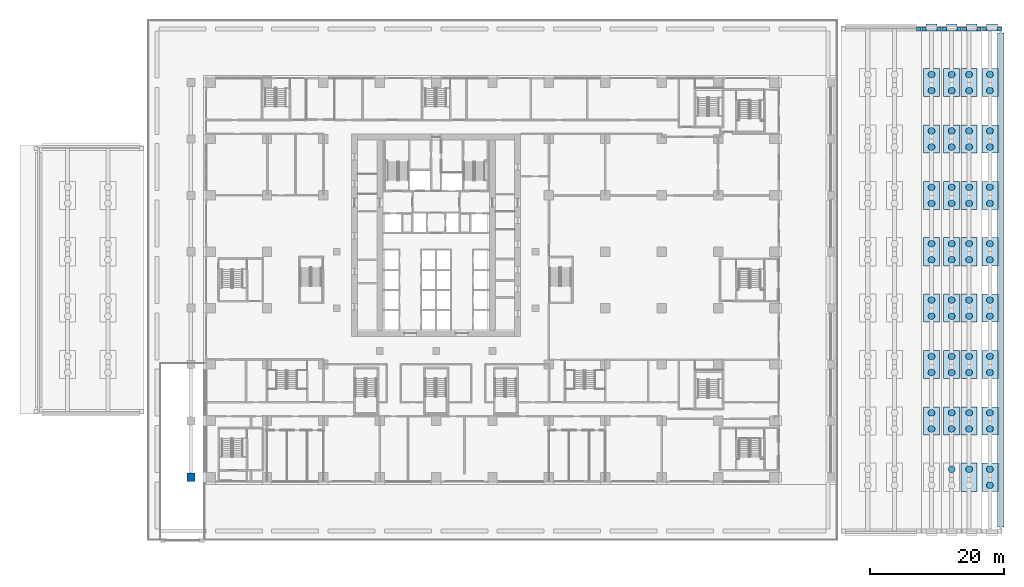
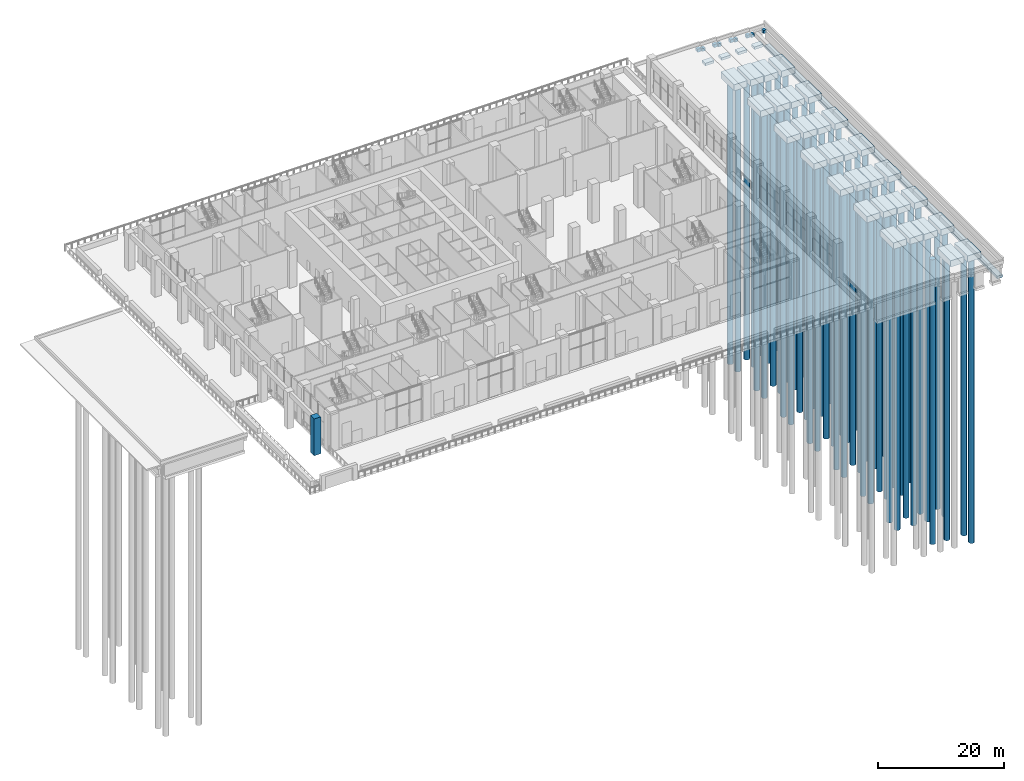
# One storey, part 2 of 53: 60 piles, 44 footings, 1 column.
"""IFC4 building model written with IfcOpenShell, lengths in metres."""

from ifc_helpers import new_model, si_unit, direction, frame, origin, origin_2d, place, context, subcontext, project, spatial, polyline, rectangle, circle, outline, extrude, material, layer, layer_set, material_profile, profile_set, type_object, element, save


model = new_model("IFC4")

# Units and contexts
model_context = context("Model", 3, precision=1e-05, world=origin(), true_north=direction((0.0, 1.0)))
body_context = subcontext(model_context, "Body", "Model", "MODEL_VIEW")
ifc_project = project(units=[si_unit("LENGTHUNIT", "METRE"), si_unit("AREAUNIT", "SQUARE_METRE"), si_unit("VOLUMEUNIT", "CUBIC_METRE"), si_unit("PLANEANGLEUNIT", "RADIAN"), si_unit("MASSUNIT", "GRAM", prefix="KILO")], contexts=[model_context])

# Site, building, storey
site_placement = place(None, origin())
site = spatial("IfcSite", under=ifc_project, at=site_placement, CompositionType="ELEMENT")
building_placement = place(site_placement, origin())
building = spatial("IfcBuilding", under=site, at=building_placement, Name="Vermilion Ogive Tower", CompositionType="ELEMENT")
storey_placement = place(building_placement, origin())
storey = spatial("IfcBuildingStorey", under=building, at=storey_placement, Name="L00", CompositionType="ELEMENT", Elevation=0.0)

# Piles
ifc_material_1 = material(Name="Concrete B45", Category="concrete")
pile_type = type_object("IfcPileType", Name="Quay bored pile QP1 D1000", PredefinedType="BORED", material=ifc_material_1)
for number, where, z_axis, x_axis, name in (
    (1, (73.800048828125, -22.199951171875, -2.64990234375), (0.0, 0.0, -1.0), (1.0, 0.0, 0.0), "Quay pile SITE-STEP-1-L 2.1"),
    (2, (73.800048828125, -19.800048828125, -2.64990234375), (0.0, 0.0, -1.0), (1.0, 0.0, 0.0), "Quay pile SITE-STEP-1-L 2.2"),
    (3, (73.800048828125, -13.800048828125, -2.64990234375), (0.0, 0.0, -1.0), (1.0, 0.0, 0.0), "Quay pile SITE-STEP-1-L 3.1"),
    (4, (73.800048828125, -11.39990234375, -2.64990234375), (0.0, 0.0, -1.0), (1.0, 0.0, 0.0), "Quay pile SITE-STEP-1-L 3.2"),
    (5, (73.800048828125, -5.39990234375, -2.64990234375), (0.0, 0.0, -1.0), (1.0, 0.0, 0.0), "Quay pile SITE-STEP-1-L 4.1"),
    (6, (73.800048828125, -3.0, -2.64990234375), (0.0, 0.0, -1.0), (1.0, 0.0, 0.0), "Quay pile SITE-STEP-1-L 4.2"),
    (7, (73.800048828125, 3.0, -2.64990234375), (0.0, 0.0, -1.0), (1.0, 0.0, 0.0), "Quay pile SITE-STEP-1-L 5.1"),
    (8, (73.800048828125, 5.39990234375, -2.64990234375), (0.0, 0.0, -1.0), (1.0, 0.0, 0.0), "Quay pile SITE-STEP-1-L 5.2"),
    (9, (73.800048828125, 11.39990234375, -2.64990234375), (0.0, 0.0, -1.0), (1.0, 0.0, 0.0), "Quay pile SITE-STEP-1-L 6.1"),
    (10, (73.800048828125, 13.800048828125, -2.64990234375), (0.0, 0.0, -1.0), (1.0, 0.0, 0.0), "Quay pile SITE-STEP-1-L 6.2"),
    (11, (73.800048828125, 19.800048828125, -2.64990234375), (0.0, 0.0, -1.0), (1.0, 0.0, 0.0), "Quay pile SITE-STEP-1-L 7.1"),
    (12, (73.800048828125, 22.199951171875, -2.64990234375), (0.0, 0.0, -1.0), (1.0, 0.0, 0.0), "Quay pile SITE-STEP-1-L 7.2"),
    (13, (73.800048828125, 28.199951171875, -2.64990234375), (0.0, 0.0, -1.0), (1.0, 0.0, 0.0), "Quay pile SITE-STEP-1-L 8.1"),
    (14, (73.800048828125, 30.60009765625, -2.64990234375), (0.0, 0.0, -1.0), (1.0, 0.0, 0.0), "Quay pile SITE-STEP-1-L 8.2"),
    (15, (76.800048828125, -28.199951171875, -2.800048828125), (0.0, 0.0, -1.0), (1.0, 0.0, 0.0), "Quay pile SITE-STEP-2-L 1.2"),
    (16, (76.800048828125, -22.199951171875, -2.800048828125), (0.0, 0.0, -1.0), (1.0, 0.0, 0.0), "Quay pile SITE-STEP-2-L 2.1"),
    (17, (76.800048828125, -19.800048828125, -2.800048828125), (0.0, 0.0, -1.0), (1.0, 0.0, 0.0), "Quay pile SITE-STEP-2-L 2.2"),
    (18, (76.800048828125, -13.800048828125, -2.800048828125), (0.0, 0.0, -1.0), (1.0, 0.0, 0.0), "Quay pile SITE-STEP-2-L 3.1"),
    (19, (76.800048828125, -11.39990234375, -2.800048828125), (0.0, 0.0, -1.0), (1.0, 0.0, 0.0), "Quay pile SITE-STEP-2-L 3.2"),
    (20, (76.800048828125, -5.39990234375, -2.800048828125), (0.0, 0.0, -1.0), (1.0, 0.0, 0.0), "Quay pile SITE-STEP-2-L 4.1"),
    (21, (76.800048828125, -3.0, -2.800048828125), (0.0, 0.0, -1.0), (1.0, 0.0, 0.0), "Quay pile SITE-STEP-2-L 4.2"),
    (22, (76.800048828125, 3.0, -2.800048828125), (0.0, 0.0, -1.0), (1.0, 0.0, 0.0), "Quay pile SITE-STEP-2-L 5.1"),
    (23, (76.800048828125, 5.39990234375, -2.800048828125), (0.0, 0.0, -1.0), (1.0, 0.0, 0.0), "Quay pile SITE-STEP-2-L 5.2"),
    (24, (76.800048828125, 11.39990234375, -2.800048828125), (0.0, 0.0, -1.0), (1.0, 0.0, 0.0), "Quay pile SITE-STEP-2-L 6.1"),
    (25, (76.800048828125, 13.800048828125, -2.800048828125), (0.0, 0.0, -1.0), (1.0, 0.0, 0.0), "Quay pile SITE-STEP-2-L 6.2"),
    (26, (76.800048828125, 19.800048828125, -2.800048828125), (0.0, 0.0, -1.0), (1.0, 0.0, 0.0), "Quay pile SITE-STEP-2-L 7.1"),
    (27, (76.800048828125, 22.199951171875, -2.800048828125), (0.0, 0.0, -1.0), (1.0, 0.0, 0.0), "Quay pile SITE-STEP-2-L 7.2"),
    (28, (76.800048828125, 28.199951171875, -2.800048828125), (0.0, 0.0, -1.0), (1.0, 0.0, 0.0), "Quay pile SITE-STEP-2-L 8.1"),
    (29, (76.800048828125, 30.60009765625, -2.800048828125), (0.0, 0.0, -1.0), (1.0, 0.0, 0.0), "Quay pile SITE-STEP-2-L 8.2"),
    (30, (79.39990234375, -28.199951171875, -2.949951171875), (0.0, 0.0, -1.0), (1.0, 0.0, 0.0), "Quay pile SITE-STEP-3-L 1.2"),
    (31, (79.39990234375, -22.199951171875, -2.949951171875), (0.0, 0.0, -1.0), (1.0, 0.0, 0.0), "Quay pile SITE-STEP-3-L 2.1"),
    (32, (79.39990234375, -19.800048828125, -2.949951171875), (0.0, 0.0, -1.0), (1.0, 0.0, 0.0), "Quay pile SITE-STEP-3-L 2.2"),
    (33, (79.39990234375, -13.800048828125, -2.949951171875), (0.0, 0.0, -1.0), (1.0, 0.0, 0.0), "Quay pile SITE-STEP-3-L 3.1"),
    (34, (79.39990234375, -11.39990234375, -2.949951171875), (0.0, 0.0, -1.0), (1.0, 0.0, 0.0), "Quay pile SITE-STEP-3-L 3.2"),
    (35, (79.39990234375, -5.39990234375, -2.949951171875), (0.0, 0.0, -1.0), (1.0, 0.0, 0.0), "Quay pile SITE-STEP-3-L 4.1"),
    (36, (79.39990234375, -3.0, -2.949951171875), (0.0, 0.0, -1.0), (1.0, 0.0, 0.0), "Quay pile SITE-STEP-3-L 4.2"),
    (37, (79.39990234375, 3.0, -2.949951171875), (0.0, 0.0, -1.0), (1.0, 0.0, 0.0), "Quay pile SITE-STEP-3-L 5.1"),
    (38, (79.39990234375, 5.39990234375, -2.949951171875), (0.0, 0.0, -1.0), (1.0, 0.0, 0.0), "Quay pile SITE-STEP-3-L 5.2"),
    (39, (79.39990234375, 11.39990234375, -2.949951171875), (0.0, 0.0, -1.0), (1.0, 0.0, 0.0), "Quay pile SITE-STEP-3-L 6.1"),
    (40, (79.39990234375, 13.800048828125, -2.949951171875), (0.0, 0.0, -1.0), (1.0, 0.0, 0.0), "Quay pile SITE-STEP-3-L 6.2"),
    (41, (79.39990234375, 19.800048828125, -2.949951171875), (0.0, 0.0, -1.0), (1.0, 0.0, 0.0), "Quay pile SITE-STEP-3-L 7.1"),
    (42, (79.39990234375, 22.199951171875, -2.949951171875), (0.0, 0.0, -1.0), (1.0, 0.0, 0.0), "Quay pile SITE-STEP-3-L 7.2"),
    (43, (79.39990234375, 28.199951171875, -2.949951171875), (0.0, 0.0, -1.0), (1.0, 0.0, 0.0), "Quay pile SITE-STEP-3-L 8.1"),
    (44, (79.39990234375, 30.60009765625, -2.949951171875), (0.0, 0.0, -1.0), (1.0, 0.0, 0.0), "Quay pile SITE-STEP-3-L 8.2"),
    (45, (82.5, -30.60009765625, -3.099853515625), (0.0, 0.0, -1.0), (1.0, 0.0, 0.0), "Quay pile SITE-STEP-4-L 1.1"),
    (46, (82.5, -28.199951171875, -3.099853515625), (0.0, 0.0, -1.0), (1.0, 0.0, 0.0), "Quay pile SITE-STEP-4-L 1.2"),
    (47, (82.5, -22.199951171875, -3.099853515625), (0.0, 0.0, -1.0), (1.0, 0.0, 0.0), "Quay pile SITE-STEP-4-L 2.1"),
    (48, (82.5, -19.800048828125, -3.099853515625), (0.0, 0.0, -1.0), (1.0, 0.0, 0.0), "Quay pile SITE-STEP-4-L 2.2"),
    (49, (82.5, -13.800048828125, -3.099853515625), (0.0, 0.0, -1.0), (1.0, 0.0, 0.0), "Quay pile SITE-STEP-4-L 3.1"),
    (50, (82.5, -11.39990234375, -3.099853515625), (0.0, 0.0, -1.0), (1.0, 0.0, 0.0), "Quay pile SITE-STEP-4-L 3.2"),
    (51, (82.5, -5.39990234375, -3.099853515625), (0.0, 0.0, -1.0), (1.0, 0.0, 0.0), "Quay pile SITE-STEP-4-L 4.1"),
    (52, (82.5, -3.0, -3.099853515625), (0.0, 0.0, -1.0), (1.0, 0.0, 0.0), "Quay pile SITE-STEP-4-L 4.2"),
    (53, (82.5, 3.0, -3.099853515625), (0.0, 0.0, -1.0), (1.0, 0.0, 0.0), "Quay pile SITE-STEP-4-L 5.1"),
    (54, (82.5, 5.39990234375, -3.099853515625), (0.0, 0.0, -1.0), (1.0, 0.0, 0.0), "Quay pile SITE-STEP-4-L 5.2"),
    (55, (82.5, 11.39990234375, -3.099853515625), (0.0, 0.0, -1.0), (1.0, 0.0, 0.0), "Quay pile SITE-STEP-4-L 6.1"),
    (56, (82.5, 13.800048828125, -3.099853515625), (0.0, 0.0, -1.0), (1.0, 0.0, 0.0), "Quay pile SITE-STEP-4-L 6.2"),
    (57, (82.5, 19.800048828125, -3.099853515625), (0.0, 0.0, -1.0), (1.0, 0.0, 0.0), "Quay pile SITE-STEP-4-L 7.1"),
    (58, (82.5, 22.199951171875, -3.099853515625), (0.0, 0.0, -1.0), (1.0, 0.0, 0.0), "Quay pile SITE-STEP-4-L 7.2"),
    (59, (82.5, 28.199951171875, -3.099853515625), (0.0, 0.0, -1.0), (1.0, 0.0, 0.0), "Quay pile SITE-STEP-4-L 8.1"),
    (60, (82.5, 30.60009765625, -3.099853515625), (0.0, 0.0, -1.0), (1.0, 0.0, 0.0), "Quay pile SITE-STEP-4-L 8.2"),
):
    element("IfcPile", number, at=place(storey_placement, frame(where, z_axis=z_axis, x_axis=x_axis)), inside=storey, type_object=pile_type, Name=name, PredefinedType="BORED", context=body_context, shape_type="SweptSolid", body=[
        extrude(circle(Radius=0.5, at=origin_2d()), origin(), (0.0, 0.0, 1.0), 55.0),
    ])

# Footings
ifc_material_2 = material(Name="Concrete B50", Category="concrete")
ifc_layer_1 = layer(ifc_material_2, 1.199951171875)
ifc_layer_set_1 = layer_set([ifc_layer_1], Name="Quay pile cap QC1")
footing_type_1 = type_object("IfcFootingType", Name="Quay pile cap QC1", PredefinedType="PILE_CAP", material=ifc_layer_set_1)
footing_1_placement = place(storey_placement, frame((0.0, 0.0, -2.75)))
element("IfcFooting", 61, at=footing_1_placement, inside=storey, type_object=footing_type_1, Name="Quay pile cap SITE-STEP-1-L 2", PredefinedType="PILE_CAP", context=body_context, shape_type="SweptSolid", body=[
    extrude(outline(polyline([(75.0, -23.10009765625), (75.0, -18.89990234375), (72.60009765625, -18.89990234375), (72.60009765625, -23.10009765625), (75.0, -23.10009765625)])), origin(), (0.0, 0.0, 1.0), 1.199951171875),
])
footing_2_placement = place(storey_placement, frame((0.0, 0.0, -2.75)))
element("IfcFooting", 62, at=footing_2_placement, inside=storey, type_object=footing_type_1, Name="Quay pile cap SITE-STEP-1-L 3", PredefinedType="PILE_CAP", context=body_context, shape_type="SweptSolid", body=[
    extrude(outline(polyline([(75.0, -14.699951171875), (75.0, -10.5), (72.60009765625, -10.5), (72.60009765625, -14.699951171875), (75.0, -14.699951171875)])), origin(), (0.0, 0.0, 1.0), 1.199951171875),
])
footing_3_placement = place(storey_placement, frame((0.0, 0.0, -2.75)))
element("IfcFooting", 63, at=footing_3_placement, inside=storey, type_object=footing_type_1, Name="Quay pile cap SITE-STEP-1-L 4", PredefinedType="PILE_CAP", context=body_context, shape_type="SweptSolid", body=[
    extrude(outline(polyline([(75.0, -6.300048828125), (75.0, -2.10009765625), (72.60009765625, -2.10009765625), (72.60009765625, -6.300048828125), (75.0, -6.300048828125)])), origin(), (0.0, 0.0, 1.0), 1.199951171875),
])
footing_4_placement = place(storey_placement, frame((0.0, 0.0, -2.75)))
element("IfcFooting", 64, at=footing_4_placement, inside=storey, type_object=footing_type_1, Name="Quay pile cap SITE-STEP-1-L 5", PredefinedType="PILE_CAP", context=body_context, shape_type="SweptSolid", body=[
    extrude(outline(polyline([(75.0, 2.10009765625), (75.0, 6.300048828125), (72.60009765625, 6.300048828125), (72.60009765625, 2.10009765625), (75.0, 2.10009765625)])), origin(), (0.0, 0.0, 1.0), 1.199951171875),
])
footing_5_placement = place(storey_placement, frame((0.0, 0.0, -2.75)))
element("IfcFooting", 65, at=footing_5_placement, inside=storey, type_object=footing_type_1, Name="Quay pile cap SITE-STEP-1-L 6", PredefinedType="PILE_CAP", context=body_context, shape_type="SweptSolid", body=[
    extrude(outline(polyline([(75.0, 10.5), (75.0, 14.699951171875), (72.60009765625, 14.699951171875), (72.60009765625, 10.5), (75.0, 10.5)])), origin(), (0.0, 0.0, 1.0), 1.199951171875),
])
footing_6_placement = place(storey_placement, frame((0.0, 0.0, -2.75)))
element("IfcFooting", 66, at=footing_6_placement, inside=storey, type_object=footing_type_1, Name="Quay pile cap SITE-STEP-1-L 7", PredefinedType="PILE_CAP", context=body_context, shape_type="SweptSolid", body=[
    extrude(outline(polyline([(75.0, 18.89990234375), (75.0, 23.10009765625), (72.60009765625, 23.10009765625), (72.60009765625, 18.89990234375), (75.0, 18.89990234375)])), origin(), (0.0, 0.0, 1.0), 1.199951171875),
])
footing_7_placement = place(storey_placement, frame((0.0, 0.0, -2.75)))
element("IfcFooting", 67, at=footing_7_placement, inside=storey, type_object=footing_type_1, Name="Quay pile cap SITE-STEP-1-L 8", PredefinedType="PILE_CAP", context=body_context, shape_type="SweptSolid", body=[
    extrude(outline(polyline([(75.0, 27.300048828125), (75.0, 31.5), (72.60009765625, 31.5), (72.60009765625, 27.300048828125), (75.0, 27.300048828125)])), origin(), (0.0, 0.0, 1.0), 1.199951171875),
])
footing_8_placement = place(storey_placement, frame((0.0, 0.0, -2.900146484375)))
element("IfcFooting", 68, at=footing_8_placement, inside=storey, type_object=footing_type_1, Name="Quay pile cap SITE-STEP-2-L 2", PredefinedType="PILE_CAP", context=body_context, shape_type="SweptSolid", body=[
    extrude(outline(polyline([(78.0, -23.10009765625), (78.0, -18.89990234375), (75.60009765625, -18.89990234375), (75.60009765625, -23.10009765625), (78.0, -23.10009765625)])), origin(), (0.0, 0.0, 1.0), 1.199951171875),
])
footing_9_placement = place(storey_placement, frame((0.0, 0.0, -2.900146484375)))
element("IfcFooting", 69, at=footing_9_placement, inside=storey, type_object=footing_type_1, Name="Quay pile cap SITE-STEP-2-L 3", PredefinedType="PILE_CAP", context=body_context, shape_type="SweptSolid", body=[
    extrude(outline(polyline([(78.0, -14.699951171875), (78.0, -10.5), (75.60009765625, -10.5), (75.60009765625, -14.699951171875), (78.0, -14.699951171875)])), origin(), (0.0, 0.0, 1.0), 1.199951171875),
])
footing_10_placement = place(storey_placement, frame((0.0, 0.0, -2.900146484375)))
element("IfcFooting", 70, at=footing_10_placement, inside=storey, type_object=footing_type_1, Name="Quay pile cap SITE-STEP-2-L 4", PredefinedType="PILE_CAP", context=body_context, shape_type="SweptSolid", body=[
    extrude(outline(polyline([(78.0, -6.300048828125), (78.0, -2.10009765625), (75.60009765625, -2.10009765625), (75.60009765625, -6.300048828125), (78.0, -6.300048828125)])), origin(), (0.0, 0.0, 1.0), 1.199951171875),
])
footing_11_placement = place(storey_placement, frame((0.0, 0.0, -2.900146484375)))
element("IfcFooting", 71, at=footing_11_placement, inside=storey, type_object=footing_type_1, Name="Quay pile cap SITE-STEP-2-L 5", PredefinedType="PILE_CAP", context=body_context, shape_type="SweptSolid", body=[
    extrude(outline(polyline([(78.0, 2.10009765625), (78.0, 6.300048828125), (75.60009765625, 6.300048828125), (75.60009765625, 2.10009765625), (78.0, 2.10009765625)])), origin(), (0.0, 0.0, 1.0), 1.199951171875),
])
footing_12_placement = place(storey_placement, frame((0.0, 0.0, -2.900146484375)))
element("IfcFooting", 72, at=footing_12_placement, inside=storey, type_object=footing_type_1, Name="Quay pile cap SITE-STEP-2-L 6", PredefinedType="PILE_CAP", context=body_context, shape_type="SweptSolid", body=[
    extrude(outline(polyline([(78.0, 10.5), (78.0, 14.699951171875), (75.60009765625, 14.699951171875), (75.60009765625, 10.5), (78.0, 10.5)])), origin(), (0.0, 0.0, 1.0), 1.199951171875),
])
footing_13_placement = place(storey_placement, frame((0.0, 0.0, -2.900146484375)))
element("IfcFooting", 73, at=footing_13_placement, inside=storey, type_object=footing_type_1, Name="Quay pile cap SITE-STEP-2-L 7", PredefinedType="PILE_CAP", context=body_context, shape_type="SweptSolid", body=[
    extrude(outline(polyline([(78.0, 18.89990234375), (78.0, 23.10009765625), (75.60009765625, 23.10009765625), (75.60009765625, 18.89990234375), (78.0, 18.89990234375)])), origin(), (0.0, 0.0, 1.0), 1.199951171875),
])
footing_14_placement = place(storey_placement, frame((0.0, 0.0, -2.900146484375)))
element("IfcFooting", 74, at=footing_14_placement, inside=storey, type_object=footing_type_1, Name="Quay pile cap SITE-STEP-2-L 8", PredefinedType="PILE_CAP", context=body_context, shape_type="SweptSolid", body=[
    extrude(outline(polyline([(78.0, 27.300048828125), (78.0, 31.5), (75.60009765625, 31.5), (75.60009765625, 27.300048828125), (78.0, 27.300048828125)])), origin(), (0.0, 0.0, 1.0), 1.199951171875),
])
footing_15_placement = place(storey_placement, frame((0.0, 0.0, -3.050048828125)))
element("IfcFooting", 75, at=footing_15_placement, inside=storey, type_object=footing_type_1, Name="Quay pile cap SITE-STEP-3-L 1", PredefinedType="PILE_CAP", context=body_context, shape_type="SweptSolid", body=[
    extrude(outline(polyline([(80.599853515625, -31.5), (80.599853515625, -27.300048828125), (78.199951171875, -27.300048828125), (78.199951171875, -31.5), (80.599853515625, -31.5)])), origin(), (0.0, 0.0, 1.0), 1.199951171875),
])
footing_16_placement = place(storey_placement, frame((0.0, 0.0, -3.050048828125)))
element("IfcFooting", 76, at=footing_16_placement, inside=storey, type_object=footing_type_1, Name="Quay pile cap SITE-STEP-3-L 2", PredefinedType="PILE_CAP", context=body_context, shape_type="SweptSolid", body=[
    extrude(outline(polyline([(80.599853515625, -23.10009765625), (80.599853515625, -18.89990234375), (78.199951171875, -18.89990234375), (78.199951171875, -23.10009765625), (80.599853515625, -23.10009765625)])), origin(), (0.0, 0.0, 1.0), 1.199951171875),
])
footing_17_placement = place(storey_placement, frame((0.0, 0.0, -3.050048828125)))
element("IfcFooting", 77, at=footing_17_placement, inside=storey, type_object=footing_type_1, Name="Quay pile cap SITE-STEP-3-L 3", PredefinedType="PILE_CAP", context=body_context, shape_type="SweptSolid", body=[
    extrude(outline(polyline([(80.599853515625, -14.699951171875), (80.599853515625, -10.5), (78.199951171875, -10.5), (78.199951171875, -14.699951171875), (80.599853515625, -14.699951171875)])), origin(), (0.0, 0.0, 1.0), 1.199951171875),
])
footing_18_placement = place(storey_placement, frame((0.0, 0.0, -3.050048828125)))
element("IfcFooting", 78, at=footing_18_placement, inside=storey, type_object=footing_type_1, Name="Quay pile cap SITE-STEP-3-L 4", PredefinedType="PILE_CAP", context=body_context, shape_type="SweptSolid", body=[
    extrude(outline(polyline([(80.599853515625, -6.300048828125), (80.599853515625, -2.10009765625), (78.199951171875, -2.10009765625), (78.199951171875, -6.300048828125), (80.599853515625, -6.300048828125)])), origin(), (0.0, 0.0, 1.0), 1.199951171875),
])
footing_19_placement = place(storey_placement, frame((0.0, 0.0, -3.050048828125)))
element("IfcFooting", 79, at=footing_19_placement, inside=storey, type_object=footing_type_1, Name="Quay pile cap SITE-STEP-3-L 5", PredefinedType="PILE_CAP", context=body_context, shape_type="SweptSolid", body=[
    extrude(outline(polyline([(80.599853515625, 2.10009765625), (80.599853515625, 6.300048828125), (78.199951171875, 6.300048828125), (78.199951171875, 2.10009765625), (80.599853515625, 2.10009765625)])), origin(), (0.0, 0.0, 1.0), 1.199951171875),
])
footing_20_placement = place(storey_placement, frame((0.0, 0.0, -3.050048828125)))
element("IfcFooting", 80, at=footing_20_placement, inside=storey, type_object=footing_type_1, Name="Quay pile cap SITE-STEP-3-L 6", PredefinedType="PILE_CAP", context=body_context, shape_type="SweptSolid", body=[
    extrude(outline(polyline([(80.599853515625, 10.5), (80.599853515625, 14.699951171875), (78.199951171875, 14.699951171875), (78.199951171875, 10.5), (80.599853515625, 10.5)])), origin(), (0.0, 0.0, 1.0), 1.199951171875),
])
footing_21_placement = place(storey_placement, frame((0.0, 0.0, -3.050048828125)))
element("IfcFooting", 81, at=footing_21_placement, inside=storey, type_object=footing_type_1, Name="Quay pile cap SITE-STEP-3-L 7", PredefinedType="PILE_CAP", context=body_context, shape_type="SweptSolid", body=[
    extrude(outline(polyline([(80.599853515625, 18.89990234375), (80.599853515625, 23.10009765625), (78.199951171875, 23.10009765625), (78.199951171875, 18.89990234375), (80.599853515625, 18.89990234375)])), origin(), (0.0, 0.0, 1.0), 1.199951171875),
])
footing_22_placement = place(storey_placement, frame((0.0, 0.0, -3.050048828125)))
element("IfcFooting", 82, at=footing_22_placement, inside=storey, type_object=footing_type_1, Name="Quay pile cap SITE-STEP-3-L 8", PredefinedType="PILE_CAP", context=body_context, shape_type="SweptSolid", body=[
    extrude(outline(polyline([(80.599853515625, 27.300048828125), (80.599853515625, 31.5), (78.199951171875, 31.5), (78.199951171875, 27.300048828125), (80.599853515625, 27.300048828125)])), origin(), (0.0, 0.0, 1.0), 1.199951171875),
])
footing_23_placement = place(storey_placement, frame((0.0, 0.0, -3.199951171875)))
element("IfcFooting", 83, at=footing_23_placement, inside=storey, type_object=footing_type_1, Name="Quay pile cap SITE-STEP-4-L 1", PredefinedType="PILE_CAP", context=body_context, shape_type="SweptSolid", body=[
    extrude(outline(polyline([(83.699951171875, -31.5), (83.699951171875, -27.300048828125), (81.300048828125, -27.300048828125), (81.300048828125, -31.5), (83.699951171875, -31.5)])), origin(), (0.0, 0.0, 1.0), 1.199951171875),
])
footing_24_placement = place(storey_placement, frame((0.0, 0.0, -3.199951171875)))
element("IfcFooting", 84, at=footing_24_placement, inside=storey, type_object=footing_type_1, Name="Quay pile cap SITE-STEP-4-L 2", PredefinedType="PILE_CAP", context=body_context, shape_type="SweptSolid", body=[
    extrude(outline(polyline([(83.699951171875, -23.10009765625), (83.699951171875, -18.89990234375), (81.300048828125, -18.89990234375), (81.300048828125, -23.10009765625), (83.699951171875, -23.10009765625)])), origin(), (0.0, 0.0, 1.0), 1.199951171875),
])
footing_25_placement = place(storey_placement, frame((0.0, 0.0, -3.199951171875)))
element("IfcFooting", 85, at=footing_25_placement, inside=storey, type_object=footing_type_1, Name="Quay pile cap SITE-STEP-4-L 3", PredefinedType="PILE_CAP", context=body_context, shape_type="SweptSolid", body=[
    extrude(outline(polyline([(83.699951171875, -14.699951171875), (83.699951171875, -10.5), (81.300048828125, -10.5), (81.300048828125, -14.699951171875), (83.699951171875, -14.699951171875)])), origin(), (0.0, 0.0, 1.0), 1.199951171875),
])
footing_26_placement = place(storey_placement, frame((0.0, 0.0, -3.199951171875)))
element("IfcFooting", 86, at=footing_26_placement, inside=storey, type_object=footing_type_1, Name="Quay pile cap SITE-STEP-4-L 4", PredefinedType="PILE_CAP", context=body_context, shape_type="SweptSolid", body=[
    extrude(outline(polyline([(83.699951171875, -6.300048828125), (83.699951171875, -2.10009765625), (81.300048828125, -2.10009765625), (81.300048828125, -6.300048828125), (83.699951171875, -6.300048828125)])), origin(), (0.0, 0.0, 1.0), 1.199951171875),
])
footing_27_placement = place(storey_placement, frame((0.0, 0.0, -3.199951171875)))
element("IfcFooting", 87, at=footing_27_placement, inside=storey, type_object=footing_type_1, Name="Quay pile cap SITE-STEP-4-L 5", PredefinedType="PILE_CAP", context=body_context, shape_type="SweptSolid", body=[
    extrude(outline(polyline([(83.699951171875, 2.10009765625), (83.699951171875, 6.300048828125), (81.300048828125, 6.300048828125), (81.300048828125, 2.10009765625), (83.699951171875, 2.10009765625)])), origin(), (0.0, 0.0, 1.0), 1.199951171875),
])
footing_28_placement = place(storey_placement, frame((0.0, 0.0, -3.199951171875)))
element("IfcFooting", 88, at=footing_28_placement, inside=storey, type_object=footing_type_1, Name="Quay pile cap SITE-STEP-4-L 6", PredefinedType="PILE_CAP", context=body_context, shape_type="SweptSolid", body=[
    extrude(outline(polyline([(83.699951171875, 10.5), (83.699951171875, 14.699951171875), (81.300048828125, 14.699951171875), (81.300048828125, 10.5), (83.699951171875, 10.5)])), origin(), (0.0, 0.0, 1.0), 1.199951171875),
])
footing_29_placement = place(storey_placement, frame((0.0, 0.0, -3.199951171875)))
element("IfcFooting", 89, at=footing_29_placement, inside=storey, type_object=footing_type_1, Name="Quay pile cap SITE-STEP-4-L 7", PredefinedType="PILE_CAP", context=body_context, shape_type="SweptSolid", body=[
    extrude(outline(polyline([(83.699951171875, 18.89990234375), (83.699951171875, 23.10009765625), (81.300048828125, 23.10009765625), (81.300048828125, 18.89990234375), (83.699951171875, 18.89990234375)])), origin(), (0.0, 0.0, 1.0), 1.199951171875),
])
footing_30_placement = place(storey_placement, frame((0.0, 0.0, -3.199951171875)))
element("IfcFooting", 90, at=footing_30_placement, inside=storey, type_object=footing_type_1, Name="Quay pile cap SITE-STEP-4-L 8", PredefinedType="PILE_CAP", context=body_context, shape_type="SweptSolid", body=[
    extrude(outline(polyline([(83.699951171875, 27.300048828125), (83.699951171875, 31.5), (81.300048828125, 31.5), (81.300048828125, 27.300048828125), (83.699951171875, 27.300048828125)])), origin(), (0.0, 0.0, 1.0), 1.199951171875),
])
ifc_material_3 = material(Name="Concrete B50", Category="concrete")
ifc_layer_2 = layer(ifc_material_3, 0.5)
ifc_layer_set_2 = layer_set([ifc_layer_2], Name="Quay wall footing QF1")
footing_type_2 = type_object("IfcFootingType", Name="Quay wall footing QF1", PredefinedType="STRIP_FOOTING", material=ifc_layer_set_2)
footing_31_placement = place(storey_placement, frame((0.0, 0.0, -4.0)))
element("IfcFooting", 91, at=footing_31_placement, inside=storey, type_object=footing_type_2, Name="Quay wall footing SITE-STEP-1 N", PredefinedType="STRIP_FOOTING", context=body_context, shape_type="SweptSolid", body=[
    extrude(outline(polyline([(74.60009765625, 37.10009765625), (74.60009765625, 38.10009765625), (73.0, 38.10009765625), (73.0, 37.10009765625), (74.60009765625, 37.10009765625)])), origin(), (0.0, 0.0, 1.0), 0.5),
])
footing_32_placement = place(storey_placement, frame((0.0, 0.0, -4.0)))
element("IfcFooting", 92, at=footing_32_placement, inside=storey, type_object=footing_type_2, Name="Quay wall footing SITE-STEP-2 N", PredefinedType="STRIP_FOOTING", context=body_context, shape_type="SweptSolid", body=[
    extrude(outline(polyline([(77.60009765625, 37.10009765625), (77.60009765625, 38.10009765625), (76.0, 38.10009765625), (76.0, 37.10009765625), (77.60009765625, 37.10009765625)])), origin(), (0.0, 0.0, 1.0), 0.5),
])
footing_33_placement = place(storey_placement, frame((0.0, 0.0, -4.0)))
element("IfcFooting", 93, at=footing_33_placement, inside=storey, type_object=footing_type_2, Name="Quay wall footing SITE-STEP-3 N", PredefinedType="STRIP_FOOTING", context=body_context, shape_type="SweptSolid", body=[
    extrude(outline(polyline([(80.60009765625, 37.10009765625), (80.60009765625, 38.10009765625), (79.0, 38.10009765625), (79.0, 37.10009765625), (80.60009765625, 37.10009765625)])), origin(), (0.0, 0.0, 1.0), 0.5),
])
footing_34_placement = place(storey_placement, frame((0.0, 0.0, -4.0)))
element("IfcFooting", 94, at=footing_34_placement, inside=storey, type_object=footing_type_2, Name="Quay wall footing SITE-STEP-4 N", PredefinedType="STRIP_FOOTING", context=body_context, shape_type="SweptSolid", body=[
    extrude(outline(polyline([(83.60009765625, 37.10009765625), (83.60009765625, 38.10009765625), (82.0, 38.10009765625), (82.0, 37.10009765625), (83.60009765625, 37.10009765625)])), origin(), (0.0, 0.0, 1.0), 0.5),
])
footing_35_placement = place(storey_placement, frame((0.0, 0.0, -4.0)))
element("IfcFooting", 95, at=footing_35_placement, inside=storey, type_object=footing_type_2, Name="Quay wall footing SITE-STEP-4 E", PredefinedType="STRIP_FOOTING", context=body_context, shape_type="SweptSolid", body=[
    extrude(outline(polyline([(84.60009765625, -36.800048828125), (84.60009765625, 36.800048828125), (83.60009765625, 36.800048828125), (83.60009765625, -36.800048828125), (84.60009765625, -36.800048828125)])), origin(), (0.0, 0.0, 1.0), 0.5),
])
ifc_material_4 = material(Name="Concrete B50", Category="concrete")
ifc_layer_3 = layer(ifc_material_4, 0.60009765625)
ifc_layer_set_3 = layer_set([ifc_layer_3], Name="Site pad footing SF1")
footing_type_3 = type_object("IfcFootingType", Name="Site pad footing SF1", PredefinedType="PAD_FOOTING", material=ifc_layer_set_3)
footing_36_placement = place(storey_placement, frame((0.0, 0.0, -0.89990234375)))
element("IfcFooting", 96, at=footing_36_placement, inside=storey, type_object=footing_type_3, Name="Site pad footing SITE-PROM-4", PredefinedType="PAD_FOOTING", context=body_context, shape_type="SweptSolid", body=[
    extrude(outline(polyline([(72.2001953125, 37.10009765625), (72.2001953125, 37.7001953125), (71.60009765625, 37.7001953125), (71.60009765625, 37.10009765625), (72.2001953125, 37.10009765625)])), origin(), (0.0, 0.0, 1.0), 0.599853515625),
])
footing_37_placement = place(storey_placement, frame((0.0, 0.0, -1.050048828125)))
element("IfcFooting", 97, at=footing_37_placement, inside=storey, type_object=footing_type_3, Name="Site pad footing SITE-STEP-1-3", PredefinedType="PAD_FOOTING", context=body_context, shape_type="SweptSolid", body=[
    extrude(outline(polyline([(73.0, 37.10009765625), (73.0, 37.7001953125), (72.39990234375, 37.7001953125), (72.39990234375, 37.10009765625), (73.0, 37.10009765625)])), origin(), (0.0, 0.0, 1.0), 0.60009765625),
])
footing_38_placement = place(storey_placement, frame((0.0, 0.0, -1.050048828125)))
element("IfcFooting", 98, at=footing_38_placement, inside=storey, type_object=footing_type_3, Name="Site pad footing SITE-STEP-1-4", PredefinedType="PAD_FOOTING", context=body_context, shape_type="SweptSolid", body=[
    extrude(outline(polyline([(75.2001953125, 37.10009765625), (75.2001953125, 37.7001953125), (74.60009765625, 37.7001953125), (74.60009765625, 37.10009765625), (75.2001953125, 37.10009765625)])), origin(), (0.0, 0.0, 1.0), 0.60009765625),
])
footing_39_placement = place(storey_placement, frame((0.0, 0.0, -1.199951171875)))
element("IfcFooting", 99, at=footing_39_placement, inside=storey, type_object=footing_type_3, Name="Site pad footing SITE-STEP-2-3", PredefinedType="PAD_FOOTING", context=body_context, shape_type="SweptSolid", body=[
    extrude(outline(polyline([(76.0, 37.10009765625), (76.0, 37.7001953125), (75.39990234375, 37.7001953125), (75.39990234375, 37.10009765625), (76.0, 37.10009765625)])), origin(), (0.0, 0.0, 1.0), 0.599853515625),
])
footing_40_placement = place(storey_placement, frame((0.0, 0.0, -1.199951171875)))
element("IfcFooting", 100, at=footing_40_placement, inside=storey, type_object=footing_type_3, Name="Site pad footing SITE-STEP-2-4", PredefinedType="PAD_FOOTING", context=body_context, shape_type="SweptSolid", body=[
    extrude(outline(polyline([(78.2001953125, 37.10009765625), (78.2001953125, 37.7001953125), (77.60009765625, 37.7001953125), (77.60009765625, 37.10009765625), (78.2001953125, 37.10009765625)])), origin(), (0.0, 0.0, 1.0), 0.599853515625),
])
footing_41_placement = place(storey_placement, frame((0.0, 0.0, -1.35009765625)))
element("IfcFooting", 101, at=footing_41_placement, inside=storey, type_object=footing_type_3, Name="Site pad footing SITE-STEP-3-3", PredefinedType="PAD_FOOTING", context=body_context, shape_type="SweptSolid", body=[
    extrude(outline(polyline([(79.0, 37.10009765625), (79.0, 37.7001953125), (78.39990234375, 37.7001953125), (78.39990234375, 37.10009765625), (79.0, 37.10009765625)])), origin(), (0.0, 0.0, 1.0), 0.60009765625),
])
footing_42_placement = place(storey_placement, frame((0.0, 0.0, -1.35009765625)))
element("IfcFooting", 102, at=footing_42_placement, inside=storey, type_object=footing_type_3, Name="Site pad footing SITE-STEP-3-4", PredefinedType="PAD_FOOTING", context=body_context, shape_type="SweptSolid", body=[
    extrude(outline(polyline([(81.2001953125, 37.10009765625), (81.2001953125, 37.7001953125), (80.60009765625, 37.7001953125), (80.60009765625, 37.10009765625), (81.2001953125, 37.10009765625)])), origin(), (0.0, 0.0, 1.0), 0.60009765625),
])
footing_43_placement = place(storey_placement, frame((0.0, 0.0, -1.5)))
element("IfcFooting", 103, at=footing_43_placement, inside=storey, type_object=footing_type_3, Name="Site pad footing SITE-STEP-4-3", PredefinedType="PAD_FOOTING", context=body_context, shape_type="SweptSolid", body=[
    extrude(outline(polyline([(82.0, 37.10009765625), (82.0, 37.7001953125), (81.39990234375, 37.7001953125), (81.39990234375, 37.10009765625), (82.0, 37.10009765625)])), origin(), (0.0, 0.0, 1.0), 0.60009765625),
])
footing_44_placement = place(storey_placement, frame((0.0, 0.0, -1.5)))
element("IfcFooting", 104, at=footing_44_placement, inside=storey, type_object=footing_type_3, Name="Site pad footing SITE-STEP-4-4", PredefinedType="PAD_FOOTING", context=body_context, shape_type="SweptSolid", body=[
    extrude(outline(polyline([(84.2001953125, 37.10009765625), (84.2001953125, 37.7001953125), (83.60009765625, 37.7001953125), (83.60009765625, 37.10009765625), (84.2001953125, 37.10009765625)])), origin(), (0.0, 0.0, 1.0), 0.60009765625),
])

# Column
ifc_material_5 = material(Name="Concrete B60", Category="concrete")
ifc_material_profile = material_profile(ifc_material_5, rectangle(XDim=1.199951171875, YDim=1.199951171875, at=origin_2d()), Name="RC 1200x1200")
ifc_profile_set = profile_set([ifc_material_profile], Name="Concrete B60")
column_type = type_object("IfcColumnType", Name="Canopy pier CC2 1200x1200", PredefinedType="COLUMN", material=ifc_profile_set)
column_placement = place(storey_placement, frame((-36.550048828125, -29.39990234375, 0.0), z_axis=(0.0, 0.0, 1.0), x_axis=(1.0, 0.0, 0.0)))
element("IfcColumn", 105, at=column_placement, inside=storey, type_object=column_type, Name="Canopy pier 01", PredefinedType="COLUMN", context=body_context, shape_type="SweptSolid", body=[
    extrude(rectangle(XDim=1.199951171875, YDim=1.199951171875, at=origin_2d()), origin(), (0.0, 0.0, 1.0), 7.10009765625),
])

save(model, "model.ifc")
